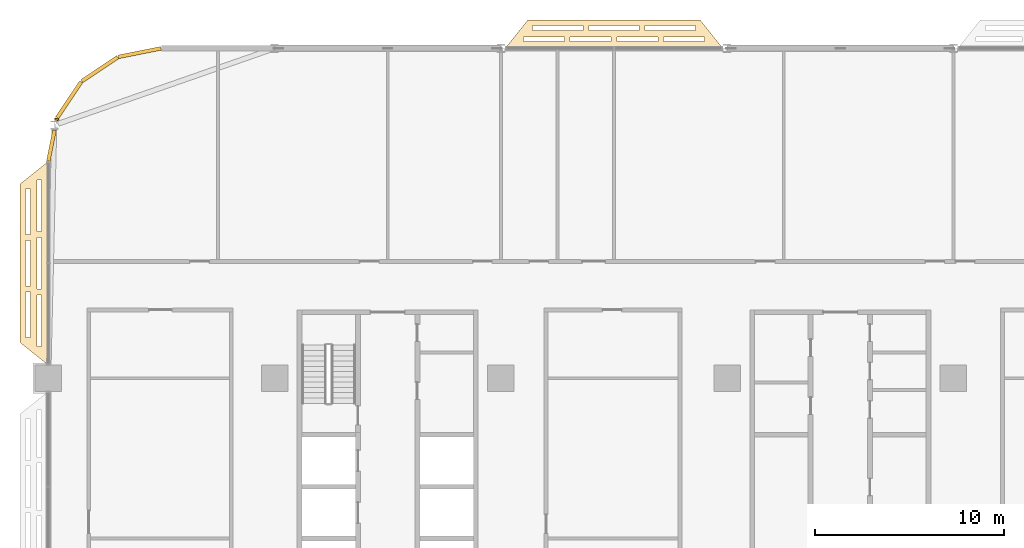
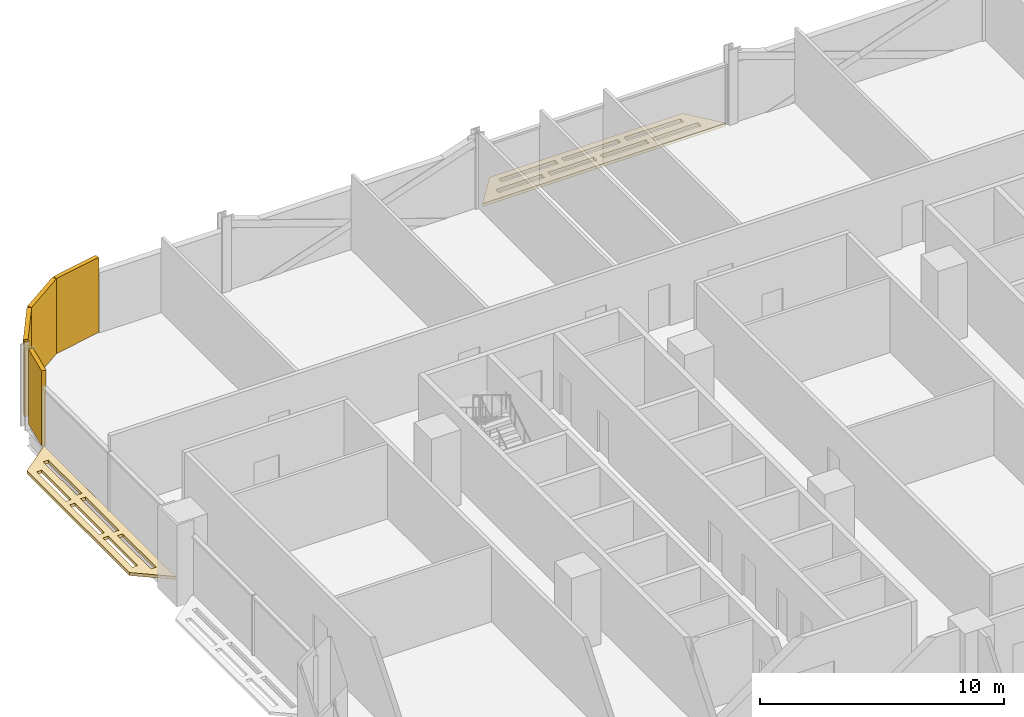
# One storey, part 27 of 29: 7 coverings.
"""IFC4 building model written with IfcOpenShell, lengths in metres."""

import ifcopenshell
import ifcopenshell.guid

model = None  # the IFC model being written
_history = None  # IfcOwnerHistory: only IFC2X3 demands one
_inside = {}  # id of a spatial element -> (the spatial element, [elements in it])
_under = {}  # id of a project, library or spatial element -> (it, [spatial elements below it])
_declared = {}  # id of a project -> (the project, [libraries it declares])
_typed = {}  # id of a type object -> (the type object, [elements of that type])
_made_of = {}  # id of a material, layer set ... -> (it, [elements and type objects made of it])


def new_model(schema):
    """Start an empty IFC model of exactly this schema.

    Asked for "IFC4X3", IfcOpenShell would pick the latest addendum, in which some entities
    have other attributes; the version numbers below select the first issue.
    IFC2X3 requires an IfcOwnerHistory on every rooted entity: one is made here for all.
    """
    global model, _history
    if schema == "IFC4X3":
        model = ifcopenshell.file(schema_version=(4, 3, 0, 0))
    else:
        model = ifcopenshell.file(schema=schema)
    _inside.clear()
    _under.clear()
    _declared.clear()
    _typed.clear()
    _made_of.clear()
    _history = None
    if model.schema == "IFC2X3":
        org = make("IfcOrganization", Name="unknown")
        user = make(
            "IfcPersonAndOrganization",
            ThePerson=make("IfcPerson", FamilyName="unknown"),
            TheOrganization=org,
        )
        app = make(
            "IfcApplication",
            ApplicationDeveloper=org,
            Version="unknown",
            ApplicationFullName="unknown",
            ApplicationIdentifier="unknown",
        )
        _history = make(
            "IfcOwnerHistory",
            OwningUser=user,
            OwningApplication=app,
            ChangeAction="ADDED",
            CreationDate=0,
        )
    return model


def make(cls, **values):
    """One entity of the class cls with the attributes given. An attribute that is None is left unset."""
    return model.create_entity(
        cls, **{name: value for name, value in values.items() if value is not None}
    )


def rooted(cls, **values):
    """An entity with a GlobalId (a new one), such as an element, a storey or a relation."""
    return make(cls, GlobalId=ifcopenshell.guid.new(), OwnerHistory=_history, **values)


def si_unit(unit_type, name, prefix=None):
    """IfcSIUnit, for example si_unit("LENGTHUNIT", "METRE", prefix="MILLI")."""
    return make("IfcSIUnit", UnitType=unit_type, Prefix=prefix, Name=name)


def assignment(units):
    """IfcUnitAssignment: the units of a project."""
    return None if units is None else make("IfcUnitAssignment", Units=units)


def point(xyz):
    """IfcCartesianPoint."""
    return None if xyz is None else make("IfcCartesianPoint", Coordinates=xyz)


def direction(xyz):
    """IfcDirection."""
    return None if xyz is None else make("IfcDirection", DirectionRatios=xyz)


def frame(location, z_axis=None, x_axis=None):
    """IfcAxis2Placement3D, a coordinate frame: its origin and axes. An axis left out is left unset."""
    return make(
        "IfcAxis2Placement3D",
        Location=point(location),
        Axis=direction(z_axis),
        RefDirection=direction(x_axis),
    )


def frame_2d(location, x_axis=None):
    """IfcAxis2Placement2D, a coordinate frame in the plane: its origin and x axis."""
    return make(
        "IfcAxis2Placement2D", Location=point(location), RefDirection=direction(x_axis)
    )


def origin():
    """The frame at (0, 0, 0) with its axes left unset."""
    return frame((0.0, 0.0, 0.0))


def origin_2d():
    """The frame at (0, 0) in the plane with its x axis left unset."""
    return frame_2d((0.0, 0.0))


def place(relative_to, where):
    """IfcLocalPlacement: puts the frame where relative to a parent placement (None: the world)."""
    return make(
        "IfcLocalPlacement", PlacementRelTo=relative_to, RelativePlacement=where
    )


def context(
    kind, dimensions, precision=None, world=None, true_north=None, identifier=None
):
    """IfcGeometricRepresentationContext, for example the 3D "Model" context."""
    return make(
        "IfcGeometricRepresentationContext",
        ContextIdentifier=identifier,
        ContextType=kind,
        CoordinateSpaceDimension=dimensions,
        Precision=precision,
        WorldCoordinateSystem=world,
        TrueNorth=true_north,
    )


def subcontext(parent, identifier, kind, view, scale=None):
    """IfcGeometricRepresentationSubContext, for example "Body" below "Model"."""
    return make(
        "IfcGeometricRepresentationSubContext",
        ContextIdentifier=identifier,
        ContextType=kind,
        ParentContext=parent,
        TargetScale=scale,
        TargetView=view,
    )


def project(units=None, contexts=None):
    """IfcProject with its units and contexts."""
    return rooted(
        "IfcProject",
        Name="project",
        RepresentationContexts=contexts,
        UnitsInContext=assignment(units),
    )


def spatial(cls, under=None, at=None, **own):
    """A site, building, storey or space (cls), placed at a placement, below another one or the project."""
    s = rooted(cls, ObjectPlacement=at, **own)
    if under is not None:
        _under.setdefault(under.id(), (under, []))[1].append(s)
    return s


def polyline(points):
    """IfcPolyline through the points."""
    return make("IfcPolyline", Points=[point(p) for p in points])


def profile(cls, at=None, kind="AREA", **sizes):
    """A parametric profile (cls). Its sizes go by their IFC names, for example OverallWidth=200.0."""
    return make(cls, ProfileType=kind, Position=at, **sizes)


def rectangle(**sizes):
    """IfcRectangleProfileDef."""
    return profile("IfcRectangleProfileDef", **sizes)


def outline(outer, holes=None, kind="AREA"):
    """IfcArbitraryClosedProfileDef: a profile drawn as a closed curve; with holes, ...WithVoids."""
    if holes is None:
        return make("IfcArbitraryClosedProfileDef", ProfileType=kind, OuterCurve=outer)
    return make(
        "IfcArbitraryProfileDefWithVoids",
        ProfileType=kind,
        OuterCurve=outer,
        InnerCurves=holes,
    )


def extrude(swept, where, along, depth):
    """IfcExtrudedAreaSolid: the profile swept, set in the frame where, extruded along a direction by depth."""
    return make(
        "IfcExtrudedAreaSolid",
        SweptArea=swept,
        Position=where,
        ExtrudedDirection=direction(along),
        Depth=depth,
    )


def shape(context_of_items, identifier, shape_type, items):
    """IfcShapeRepresentation: the items that make up one representation, for example the "Body"."""
    return make(
        "IfcShapeRepresentation",
        ContextOfItems=context_of_items,
        RepresentationIdentifier=identifier,
        RepresentationType=shape_type,
        Items=items,
    )


def material(Name=None, Category=None):
    """IfcMaterial."""
    return make("IfcMaterial", Name=Name, Category=Category)


def layer(
    of_material, thickness, ventilated=None, Name=None, Category=None, Priority=None
):
    """IfcMaterialLayer: one layer of a wall or slab, of a material (None: an air gap)."""
    return make(
        "IfcMaterialLayer",
        Material=of_material,
        LayerThickness=thickness,
        IsVentilated=ventilated,
        Name=Name,
        Category=Category,
        Priority=Priority,
    )


def layer_set(layers, Name=None):
    """IfcMaterialLayerSet."""
    return make("IfcMaterialLayerSet", MaterialLayers=layers, LayerSetName=Name)


def made_of(thing, what):
    """Note that an element or type object is made of a material, layer set ...; save() writes the relation."""
    if what is not None:
        _made_of.setdefault(what.id(), (what, []))[1].append(thing)
    return thing


def type_object(cls, material=None, **own):
    """A type object (cls), such as IfcWallType, which elements share."""
    return made_of(rooted(cls, **own), material)


def element(
    cls,
    number,
    at=None,
    inside=None,
    cuts=None,
    type_object=None,
    material=None,
    context=None,
    identifier="Body",
    shape_type=None,
    held_by="IfcProductDefinitionShape",
    body=None,
    shapes=None,
    **own,
):
    """One element of the class cls, such as IfcWall. Its Tag is "e" and its number.

    at: its placement. inside: the storey or other place that contains it. cuts: it is an
    opening in that element (IfcRelVoidsElement). A single representation is given by context,
    identifier, shape_type and body (its items); several are given by shapes. held_by: the class
    of the entity that holds the representations. save() writes the other relations.
    """
    e = rooted(cls, Tag="e%d" % number, ObjectPlacement=at, **own)
    if body is not None:
        shapes = [shape(context, identifier, shape_type, body)]
    if shapes is not None:
        e.Representation = make(held_by, Representations=shapes)
    if inside is not None:
        _inside.setdefault(inside.id(), (inside, []))[1].append(e)
    if cuts is not None:
        rooted(
            "IfcRelVoidsElement", RelatingBuildingElement=cuts, RelatedOpeningElement=e
        )
    if type_object is not None:
        _typed.setdefault(type_object.id(), (type_object, []))[1].append(e)
    return made_of(e, material)


def aggregate(whole, parts):
    """IfcRelAggregates: a whole, such as a stair, and the parts it consists of."""
    return rooted("IfcRelAggregates", RelatingObject=whole, RelatedObjects=parts)


def save(model, path):
    """Write the relations noted so far, then the file.

    IfcRelAggregates (storeys below a building ...), IfcRelContainedInSpatialStructure (elements
    in a storey), IfcRelDefinesByType, IfcRelAssociatesMaterial and IfcRelDeclares: one each for
    every whole, place, type object, material and project.
    """
    for whole, parts in _under.values():
        aggregate(whole, parts)
    for where, things in _inside.values():
        rooted(
            "IfcRelContainedInSpatialStructure",
            RelatedElements=things,
            RelatingStructure=where,
        )
    for kind, things in _typed.values():
        rooted("IfcRelDefinesByType", RelatedObjects=things, RelatingType=kind)
    for what, things in _made_of.values():
        rooted("IfcRelAssociatesMaterial", RelatedObjects=things, RelatingMaterial=what)
    for by, libraries in _declared.values():
        rooted("IfcRelDeclares", RelatingContext=by, RelatedDefinitions=libraries)
    model.write(path)


model = new_model("IFC4")

# Units and contexts
model_context = context("Model", 3, precision=1e-05, world=origin(), true_north=direction((0.0, 1.0)))
body_context = subcontext(model_context, "Body", "Model", "MODEL_VIEW")
ifc_project = project(units=[si_unit("LENGTHUNIT", "METRE"), si_unit("AREAUNIT", "SQUARE_METRE"), si_unit("VOLUMEUNIT", "CUBIC_METRE"), si_unit("PLANEANGLEUNIT", "RADIAN"), si_unit("MASSUNIT", "GRAM", prefix="KILO")], contexts=[model_context])

# Site, building, storey
site_placement = place(None, origin())
site = spatial("IfcSite", under=ifc_project, at=site_placement, CompositionType="ELEMENT")
building_placement = place(site_placement, origin())
building = spatial("IfcBuilding", under=site, at=building_placement, Name="Mahtab Terrace Research Tower", CompositionType="ELEMENT")
storey_placement = place(building_placement, frame((0.0, 0.0, 109.39990234375)))
storey = spatial("IfcBuildingStorey", under=building, at=storey_placement, Name="L25", CompositionType="ELEMENT", Elevation=109.39990234375)

# Coverings
ifc_material_1 = material(Name="Black aluminium cladding panel", Category="aluminium")
ifc_layer_1 = layer(ifc_material_1, 0.199951171875)
ifc_layer_set_1 = layer_set([ifc_layer_1], Name="Black metal corner cladding 200")
covering_type_1 = type_object("IfcCoveringType", Name="Black metal corner cladding 200", PredefinedType="CLADDING", material=ifc_layer_set_1)
for number, where, z_axis, x_axis, name in (
    (1, (-37.14794921875, 28.771484375, 0.0), (0.0, 0.0, 1.0), (-0.980760981187, -0.195212442692, 0.0), "Corner cladding L25 11"),
    (2, (-39.26953125, 27.89306640625, 0.0), (0.0, 0.0, 1.0), (-0.831655794326, -0.555291490808, 0.0), "Corner cladding L25 12"),
    (3, (-40.89306640625, 26.26953125, 0.0), (0.0, 0.0, 1.0), (-0.555291490808, -0.831655794326, 0.0), "Corner cladding L25 13"),
):
    element("IfcCovering", number, at=place(storey_placement, frame(where, z_axis=z_axis, x_axis=x_axis)), inside=storey, type_object=covering_type_1, Name=name, PredefinedType="CLADDING", context=body_context, shape_type="SweptSolid", body=[
        extrude(rectangle(XDim=2.30126953125, YDim=0.199951171875, at=origin_2d()), origin(), (0.0, 0.0, 1.0), 3.760009765625),
    ])
covering_1_placement = place(storey_placement, frame((-41.5556640625, 25.231689453125, 0.0), z_axis=(0.0, 0.0, 1.0), x_axis=(-0.195212442692, -0.980760981187, 0.0)))
element("IfcCovering", 4, at=covering_1_placement, inside=storey, type_object=covering_type_1, Name="Corner cladding L25 14", PredefinedType="CLADDING", context=body_context, shape_type="SweptSolid", body=[
    extrude(rectangle(XDim=0.11083984375, YDim=0.199951171875, at=origin_2d()), origin(), (0.0, 0.0, 1.0), 3.760009765625),
])
covering_2_placement = place(storey_placement, frame((-41.833740234375, 23.83544921875, 0.0), z_axis=(0.0, 0.0, 1.0), x_axis=(-0.195212442692, -0.980760981187, 0.0)))
element("IfcCovering", 5, at=covering_2_placement, inside=storey, type_object=covering_type_1, Name="Corner cladding L25 15", PredefinedType="CLADDING", context=body_context, shape_type="SweptSolid", body=[
    extrude(rectangle(XDim=1.6640625, YDim=0.199951171875, at=origin_2d()), origin(), (0.0, 0.0, 1.0), 3.760009765625),
])
ifc_material_2 = material(Name="Black anodised aluminium", Category="aluminium")
ifc_layer_2 = layer(ifc_material_2, 0.14990234375)
ifc_layer_set_2 = layer_set([ifc_layer_2], Name="Horizontal sunshade band")
covering_type_2 = type_object("IfcCoveringType", Name="Horizontal sunshade band", PredefinedType="CLADDING", material=ifc_layer_set_2)
covering_3_placement = place(storey_placement, frame((0.0, 0.0, -0.14990234375)))
element("IfcCovering", 6, at=covering_3_placement, inside=storey, type_object=covering_type_2, Name="Sunshade band L25 8", PredefinedType="CLADDING", context=body_context, shape_type="SweptSolid", body=[
    extrude(outline(polyline([(-6.22802734375, 29.0), (-17.77197265625, 29.0), (-16.572021484375, 30.5), (-7.427978515625, 30.5), (-6.22802734375, 29.0)]), holes=[polyline([(-7.2080078125, 29.35009765625), (-9.37890625, 29.35009765625), (-9.37890625, 29.60009765625), (-7.2080078125, 29.60009765625), (-7.2080078125, 29.35009765625)]), polyline([(-9.678955078125, 29.35009765625), (-11.85009765625, 29.35009765625), (-11.85009765625, 29.60009765625), (-9.678955078125, 29.60009765625), (-9.678955078125, 29.35009765625)]), polyline([(-12.14990234375, 29.35009765625), (-14.321044921875, 29.35009765625), (-14.321044921875, 29.60009765625), (-12.14990234375, 29.60009765625), (-12.14990234375, 29.35009765625)]), polyline([(-14.62109375, 29.35009765625), (-16.7919921875, 29.35009765625), (-16.7919921875, 29.60009765625), (-14.62109375, 29.60009765625), (-14.62109375, 29.35009765625)]), polyline([(-7.68798828125, 29.949951171875), (-10.363037109375, 29.949951171875), (-10.363037109375, 30.199951171875), (-7.68798828125, 30.199951171875), (-7.68798828125, 29.949951171875)]), polyline([(-10.6630859375, 29.949951171875), (-13.3369140625, 29.949951171875), (-13.3369140625, 30.199951171875), (-10.6630859375, 30.199951171875), (-10.6630859375, 29.949951171875)]), polyline([(-13.636962890625, 29.949951171875), (-16.31201171875, 29.949951171875), (-16.31201171875, 30.199951171875), (-13.636962890625, 30.199951171875), (-13.636962890625, 29.949951171875)])]), origin(), (0.0, 0.0, 1.0), 0.14990234375),
])
covering_4_placement = place(storey_placement, frame((0.0, 0.0, -0.14990234375)))
element("IfcCovering", 7, at=covering_4_placement, inside=storey, type_object=covering_type_2, Name="Sunshade band L25 16", PredefinedType="CLADDING", context=body_context, shape_type="SweptSolid", body=[
    extrude(outline(polyline([(-42.0, 23.0), (-42.0, 12.199951171875), (-43.5, 13.39990234375), (-43.5, 21.800048828125), (-42.0, 23.0)]), holes=[polyline([(-42.35009765625, 22.02001953125), (-42.35009765625, 19.27294921875), (-42.60009765625, 19.27294921875), (-42.60009765625, 22.02001953125), (-42.35009765625, 22.02001953125)]), polyline([(-42.35009765625, 18.972900390625), (-42.35009765625, 16.22705078125), (-42.60009765625, 16.22705078125), (-42.60009765625, 18.972900390625), (-42.35009765625, 18.972900390625)]), polyline([(-42.35009765625, 15.927001953125), (-42.35009765625, 13.179931640625), (-42.60009765625, 13.179931640625), (-42.60009765625, 15.927001953125), (-42.35009765625, 15.927001953125)]), polyline([(-42.949951171875, 21.5400390625), (-42.949951171875, 19.113037109375), (-43.199951171875, 19.113037109375), (-43.199951171875, 21.5400390625), (-42.949951171875, 21.5400390625)]), polyline([(-42.949951171875, 18.81298828125), (-42.949951171875, 16.386962890625), (-43.199951171875, 16.386962890625), (-43.199951171875, 18.81298828125), (-42.949951171875, 18.81298828125)]), polyline([(-42.949951171875, 16.0869140625), (-42.949951171875, 13.659912109375), (-43.199951171875, 13.659912109375), (-43.199951171875, 16.0869140625), (-42.949951171875, 16.0869140625)])]), origin(), (0.0, 0.0, 1.0), 0.14990234375),
])

save(model, "model.ifc")
